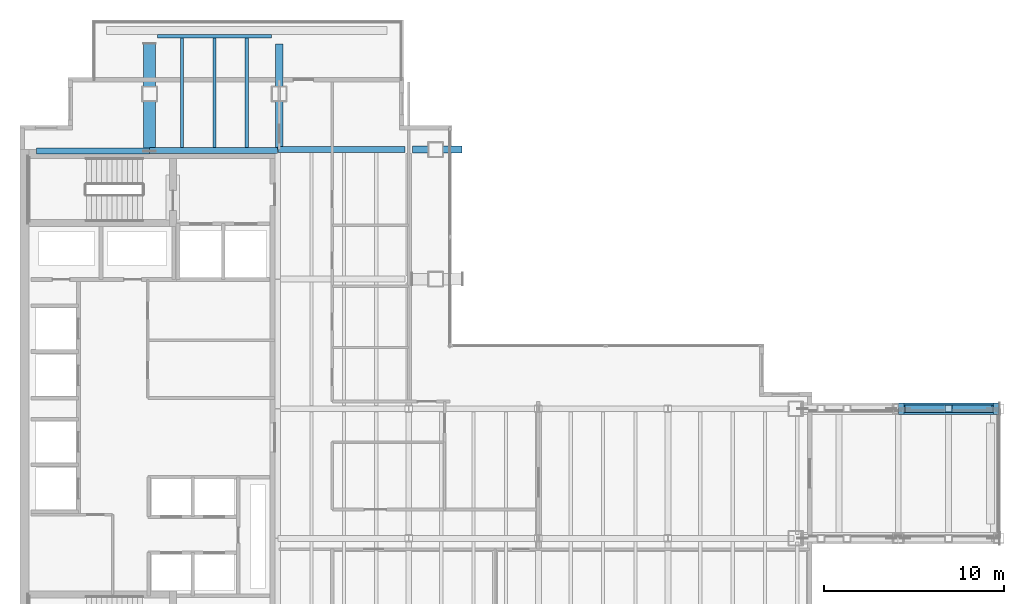
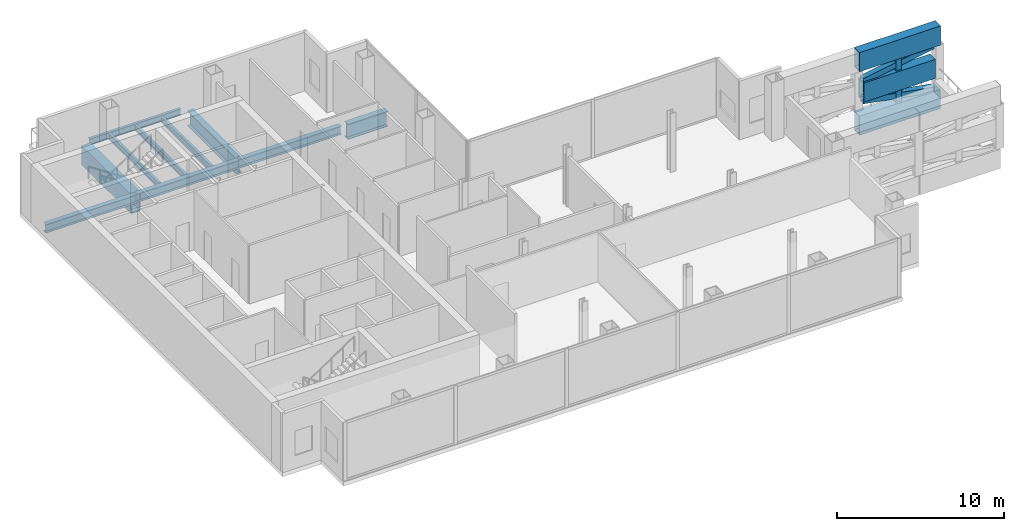
# One storey, part 11 of 20: 13 beams, 3 members.
"""IFC4 building model written with IfcOpenShell, lengths in metres."""

from ifc_helpers import new_model, si_unit, direction, frame, origin, origin_2d, place, context, subcontext, project, spatial, hollow_rectangle, i_section, extrude, material, material_profile, profile_set, type_object, element, save


model = new_model("IFC4")

# Units and contexts
model_context = context("Model", 3, precision=1e-05, world=origin(), true_north=direction((0.0, 1.0)))
body_context = subcontext(model_context, "Body", "Model", "MODEL_VIEW")
ifc_project = project(units=[si_unit("LENGTHUNIT", "METRE"), si_unit("AREAUNIT", "SQUARE_METRE"), si_unit("VOLUMEUNIT", "CUBIC_METRE"), si_unit("PLANEANGLEUNIT", "RADIAN"), si_unit("MASSUNIT", "GRAM", prefix="KILO")], contexts=[model_context])

# Site, building, storey
site_placement = place(None, origin())
site = spatial("IfcSite", under=ifc_project, at=site_placement, CompositionType="ELEMENT")
building_placement = place(site_placement, origin())
building = spatial("IfcBuilding", under=site, at=building_placement, Name="Cobrela Telecom Tower", CompositionType="ELEMENT")
storey_placement = place(building_placement, frame((0.0, 0.0, 168.699951171875)))
storey = spatial("IfcBuildingStorey", under=building, at=storey_placement, Name="L42", CompositionType="ELEMENT", Elevation=168.699951171875)

# Beams
ifc_material_1 = material(Name="Steel ASTM A992 Grade 50", Category="steel")
ifc_material_profile_1 = material_profile(ifc_material_1, i_section(OverallWidth=0.327880859375, OverallDepth=0.6220703125, WebThickness=0.015380859375, FlangeThickness=0.0244140625, FilletRadius=0.014892578125, at=origin_2d()), Name="W24X131")
ifc_profile_set_1 = profile_set([ifc_material_profile_1], Name="Steel ASTM A992 Grade 50")
beam_type_1 = type_object("IfcBeamType", Name="BM-GIRD-06", PredefinedType="USERDEFINED", material=ifc_profile_set_1)
beam_1_placement = place(storey_placement, frame((0.905029296875, 35.919921875, -0.61083984375), z_axis=(1.0, 0.0, 0.0), x_axis=(0.0, 1.0, 0.0)))
element("IfcBeam", 1, at=beam_1_placement, inside=storey, type_object=beam_type_1, Name="L42 Primary Girder X20", ObjectType="GIRDER", PredefinedType="USERDEFINED", context=body_context, shape_type="SweptSolid", body=[
    extrude(i_section(OverallWidth=0.327880859375, OverallDepth=0.6220703125, WebThickness=0.015380859375, FlangeThickness=0.0244140625, FilletRadius=0.014892578125, at=origin_2d()), origin(), (0.0, 0.0, 1.0), 6.2900390625),
])
beam_2_placement = place(storey_placement, frame((7.205078125, 35.9599609375, -0.61083984375), z_axis=(1.0, 0.0, 0.0), x_axis=(0.0, 1.0, 0.0)))
element("IfcBeam", 2, at=beam_2_placement, inside=storey, type_object=beam_type_1, Name="L42 Primary Girder X21", ObjectType="GIRDER", PredefinedType="USERDEFINED", context=body_context, shape_type="SweptSolid", body=[
    extrude(i_section(OverallWidth=0.327880859375, OverallDepth=0.6220703125, WebThickness=0.015380859375, FlangeThickness=0.0244140625, FilletRadius=0.014892578125, at=origin_2d()), origin(), (0.0, 0.0, 1.0), 7.10986328125),
])
beam_3_placement = place(storey_placement, frame((14.324951171875, 36.0, -0.61083984375), z_axis=(1.0, 0.0, 0.0), x_axis=(0.0, 1.0, 0.0)))
element("IfcBeam", 3, at=beam_3_placement, inside=storey, type_object=beam_type_1, Name="L42 Primary Girder X22", ObjectType="GIRDER", PredefinedType="USERDEFINED", context=body_context, shape_type="SweptSolid", body=[
    extrude(i_section(OverallWidth=0.327880859375, OverallDepth=0.6220703125, WebThickness=0.015380859375, FlangeThickness=0.0244140625, FilletRadius=0.014892578125, at=origin_2d()), origin(), (0.0, 0.0, 1.0), 7.070556640625),
])
ifc_material_profile_2 = material_profile(ifc_material_1, i_section(OverallWidth=0.179931640625, OverallDepth=0.4169921875, WebThickness=0.010986328125, FlangeThickness=0.01806640625, FilletRadius=0.011962890625, at=origin_2d()), Name="W16X57")
ifc_profile_set_2 = profile_set([ifc_material_profile_2], Name="Steel ASTM A992 Grade 50")
beam_type_2 = type_object("IfcBeamType", Name="BM-JOIST-04", PredefinedType="JOIST", material=ifc_profile_set_2)
for number, where, z_axis, x_axis, name in (
    (4, (9.0, 36.12890625, -0.508544921875), (0.0, 1.0, 0.0), (-1.0, 0.0, 0.0), "L42 Secondary Composite Floor Beam J01"),
    (5, (10.800048828125, 36.12890625, -0.508544921875), (0.0, 1.0, 0.0), (-1.0, 0.0, 0.0), "L42 Secondary Composite Floor Beam J02"),
    (6, (12.60009765625, 36.12890625, -0.508544921875), (0.0, 1.0, 0.0), (-1.0, 0.0, 0.0), "L42 Secondary Composite Floor Beam J03"),
):
    element("IfcBeam", number, at=place(storey_placement, frame(where, z_axis=z_axis, x_axis=x_axis)), inside=storey, type_object=beam_type_2, Name=name, PredefinedType="JOIST", context=body_context, shape_type="SweptSolid", body=[
        extrude(i_section(OverallWidth=0.179931640625, OverallDepth=0.4169921875, WebThickness=0.010986328125, FlangeThickness=0.01806640625, FilletRadius=0.011962890625, at=origin_2d()), origin(), (0.0, 0.0, 1.0), 6.069580078125),
    ])
ifc_material_2 = material(Name="Steel ASTM A572 Grade 50", Category="steel")
ifc_material_profile_3 = material_profile(ifc_material_2, hollow_rectangle(XDim=0.64990234375, YDim=1.39990234375, WallThickness=0.054931640625, at=origin_2d()), Name="BOX 1400x650x55")
ifc_profile_set_3 = profile_set([ifc_material_profile_3], Name="Steel ASTM A572 Grade 50")
beam_type_3 = type_object("IfcBeamType", Name="BM-SP-CHD", PredefinedType="USERDEFINED", material=ifc_profile_set_3)
beam_4_placement = place(storey_placement, frame((48.820068359375, 21.60009765625, -1.050048828125), z_axis=(1.0, 0.0, 0.0), x_axis=(0.0, 1.0, 0.0)))
element("IfcBeam", 7, at=beam_4_placement, inside=storey, type_object=beam_type_3, Name="L42 Sky Pool Bottom Chord 2.2", ObjectType="GIRDER", PredefinedType="USERDEFINED", context=body_context, shape_type="SweptSolid", body=[
    extrude(hollow_rectangle(XDim=0.64990234375, YDim=1.39990234375, WallThickness=0.054931640625, at=origin_2d()), origin(), (0.0, 0.0, 1.0), 5.579833984375),
])
beam_5_placement = place(storey_placement, frame((49.1201171875, 21.60009765625, 1.27001953125), z_axis=(1.0, 0.0, 0.0), x_axis=(0.0, 1.0, 0.0)))
element("IfcBeam", 8, at=beam_5_placement, inside=storey, type_object=beam_type_3, Name="L42 Sky Pool Mid Chord 2.2", ObjectType="GIRDER", PredefinedType="USERDEFINED", context=body_context, shape_type="SweptSolid", body=[
    extrude(hollow_rectangle(XDim=0.64990234375, YDim=1.39990234375, WallThickness=0.054931640625, at=origin_2d()), origin(), (0.0, 0.0, 1.0), 4.9599609375),
])
beam_6_placement = place(storey_placement, frame((48.820068359375, 21.60009765625, 3.590087890625), z_axis=(1.0, 0.0, 0.0), x_axis=(0.0, 1.0, 0.0)))
element("IfcBeam", 9, at=beam_6_placement, inside=storey, type_object=beam_type_3, Name="L42 Sky Pool Top Chord 2.2", ObjectType="GIRDER", PredefinedType="USERDEFINED", context=body_context, shape_type="SweptSolid", body=[
    extrude(hollow_rectangle(XDim=0.64990234375, YDim=1.39990234375, WallThickness=0.054931640625, at=origin_2d()), origin(), (0.0, 0.0, 1.0), 5.579833984375),
])
ifc_material_profile_4 = material_profile(ifc_material_1, i_section(OverallWidth=0.193115234375, OverallDepth=0.467041015625, WebThickness=0.011474609375, FlangeThickness=0.01904296875, FilletRadius=0.012939453125, at=origin_2d()), Name="W18X65")
ifc_profile_set_4 = profile_set([ifc_material_profile_4], Name="Steel ASTM A992 Grade 50")
beam_type_4 = type_object("IfcBeamType", Name="BM-SPAND-05", PredefinedType="SPANDREL", material=ifc_profile_set_4)
beam_7_placement = place(storey_placement, frame((7.6298828125, 42.300048828125, -0.533447265625), z_axis=(1.0, 0.0, 0.0), x_axis=(0.0, 1.0, 0.0)))
element("IfcBeam", 10, at=beam_7_placement, inside=storey, type_object=beam_type_4, Name="L42 Perimeter Spandrel X23", PredefinedType="SPANDREL", context=body_context, shape_type="SweptSolid", body=[
    extrude(i_section(OverallWidth=0.193115234375, OverallDepth=0.467041015625, WebThickness=0.011474609375, FlangeThickness=0.01904296875, FilletRadius=0.012939453125, at=origin_2d()), origin(), (0.0, 0.0, 1.0), 6.340087890625),
])
ifc_material_profile_5 = material_profile(ifc_material_2, hollow_rectangle(XDim=0.64990234375, YDim=1.39990234375, WallThickness=0.054931640625, at=origin_2d()), Name="BOX 1400x650x55")
ifc_profile_set_5 = profile_set([ifc_material_profile_5], Name="Steel ASTM A572 Grade 50")
beam_type_5 = type_object("IfcBeamType", Name="BM-TRG-1400", PredefinedType="USERDEFINED", material=ifc_profile_set_5)
beam_8_placement = place(storey_placement, frame((7.199951171875, 35.925048828125, -1.0), z_axis=(0.0, 1.0, 0.0), x_axis=(-1.0, 0.0, 0.0)))
element("IfcBeam", 11, at=beam_8_placement, inside=storey, type_object=beam_type_5, Name="L42 Transfer Girder 01", ObjectType="GIRDER", PredefinedType="USERDEFINED", context=body_context, shape_type="SweptSolid", body=[
    extrude(hollow_rectangle(XDim=0.64990234375, YDim=1.39990234375, WallThickness=0.054931640625, at=origin_2d()), origin(), (0.0, 0.0, 1.0), 5.945068359375),
])
ifc_material_profile_6 = material_profile(ifc_material_1, i_section(OverallWidth=0.404052734375, OverallDepth=1.117919921875, WebThickness=0.02587890625, FlangeThickness=0.044921875, FilletRadius=0.02490234375, at=origin_2d()), Name="W44X335")
ifc_profile_set_6 = profile_set([ifc_material_profile_6], Name="Steel ASTM A992 Grade 50")
beam_type_6 = type_object("IfcBeamType", Name="BM-TRG-W44", PredefinedType="USERDEFINED", material=ifc_profile_set_6)
beam_9_placement = place(storey_placement, frame((14.39990234375, 36.0048828125, -0.85888671875), z_axis=(0.0, 1.0, 0.0), x_axis=(-1.0, 0.0, 0.0)))
element("IfcBeam", 12, at=beam_9_placement, inside=storey, type_object=beam_type_6, Name="L42 Transfer Girder 02", ObjectType="GIRDER", PredefinedType="USERDEFINED", context=body_context, shape_type="SweptSolid", body=[
    extrude(i_section(OverallWidth=0.404052734375, OverallDepth=1.117919921875, WebThickness=0.02587890625, FlangeThickness=0.044921875, FilletRadius=0.02490234375, at=origin_2d()), origin(), (0.0, 0.0, 1.0), 5.865234375),
])
beam_10_placement = place(storey_placement, frame((21.804443359375, 36.0, -0.85888671875), z_axis=(1.0, 0.0, 0.0), x_axis=(0.0, 1.0, 0.0)))
element("IfcBeam", 13, at=beam_10_placement, inside=storey, type_object=beam_type_6, Name="L42 Transfer Girder 04", ObjectType="GIRDER", PredefinedType="USERDEFINED", context=body_context, shape_type="SweptSolid", body=[
    extrude(i_section(OverallWidth=0.404052734375, OverallDepth=1.117919921875, WebThickness=0.02587890625, FlangeThickness=0.044921875, FilletRadius=0.02490234375, at=origin_2d()), origin(), (0.0, 0.0, 1.0), 2.765625),
])

# Members
ifc_material_profile_7 = material_profile(ifc_material_2, hollow_rectangle(XDim=0.39990234375, YDim=0.39990234375, WallThickness=0.02001953125, at=origin_2d()), Name="HSS 400x400x20")
ifc_profile_set_7 = profile_set([ifc_material_profile_7], Name="Steel ASTM A572 Grade 50")
member_type_1 = type_object("IfcMemberType", Name="MBR-SP-POST", PredefinedType="STRUT", material=ifc_profile_set_7)
member_placement = place(storey_placement, frame((51.60009765625, 21.60009765625, -0.33984375), z_axis=(0.0, 0.0, 1.0), x_axis=(1.0, 0.0, 0.0)))
element("IfcMember", 14, at=member_placement, inside=storey, type_object=member_type_1, Name="L42 Sky Pool Truss Web Post 2.2", PredefinedType="STRUT", context=body_context, shape_type="SweptSolid", body=[
    extrude(hollow_rectangle(XDim=0.39990234375, YDim=0.39990234375, WallThickness=0.02001953125, at=origin_2d()), origin(), (0.0, 0.0, 1.0), 3.219970703125),
])
ifc_material_profile_8 = material_profile(ifc_material_2, hollow_rectangle(XDim=0.39990234375, YDim=0.39990234375, WallThickness=0.02001953125, at=origin_2d()), Name="HSS 400x400x20")
ifc_profile_set_8 = profile_set([ifc_material_profile_8], Name="Steel ASTM A572 Grade 50")
member_type_2 = type_object("IfcMemberType", Name="MBR-SP-WEB", PredefinedType="BRACE", material=ifc_profile_set_8)
for number, where, z_axis, x_axis, name in (
    (15, (54.02001953125, 21.60009765625, -0.329833984375), (-0.983874674037, 0.0, 0.178859234564), (0.0, -1.0, 0.0), "L42 Sky Pool Truss Web Diagonal 2.2.1"),
    (16, (49.179931640625, 21.60009765625, 1.989990234375), (0.983865939655, 0.0, 0.178907274273), (0.0, 1.0, 0.0), "L42 Sky Pool Truss Web Diagonal 2.2.2"),
):
    element("IfcMember", number, at=place(storey_placement, frame(where, z_axis=z_axis, x_axis=x_axis)), inside=storey, type_object=member_type_2, Name=name, PredefinedType="BRACE", context=body_context, shape_type="SweptSolid", body=[
        extrude(hollow_rectangle(XDim=0.39990234375, YDim=0.39990234375, WallThickness=0.02001953125, at=origin_2d()), origin(), (0.0, 0.0, 1.0), 4.91943359375),
    ])

save(model, "model.ifc")
